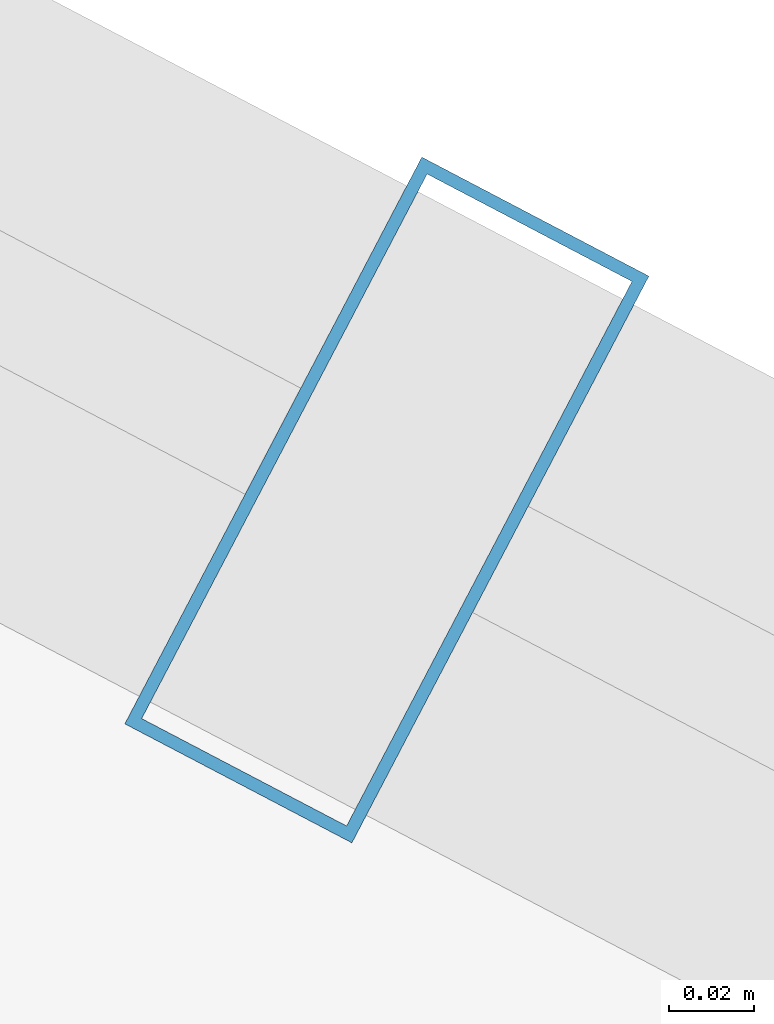
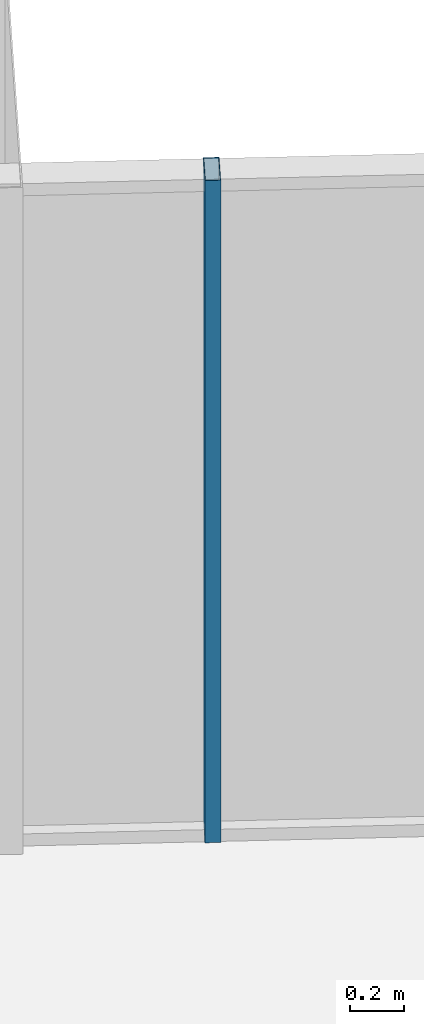
# One storey, part 27 of 33: 1 member, 1 element without a shape of its own.
"""IFC4 building model written with IfcOpenShell, lengths in metres."""

from ifc_helpers import new_model, si_unit, direction, frame, origin, origin_2d, place, context, subcontext, project, spatial, hollow_rectangle, extrude, source, transform, mapped, material, layer, layer_set, material_profile, profile_set, type_object, element, aggregate, save


model = new_model("IFC4")

# Units and contexts
model_context = context("Model", 3, precision=1e-05, world=origin(), true_north=direction((0.0, 1.0)))
body_context = subcontext(model_context, "Body", "Model", "MODEL_VIEW")
ifc_project = project(units=[si_unit("LENGTHUNIT", "METRE"), si_unit("AREAUNIT", "SQUARE_METRE"), si_unit("VOLUMEUNIT", "CUBIC_METRE"), si_unit("PLANEANGLEUNIT", "RADIAN"), si_unit("MASSUNIT", "GRAM", prefix="KILO")], contexts=[model_context])

# Site, building, storey
site_placement = place(None, origin())
site = spatial("IfcSite", under=ifc_project, at=site_placement, CompositionType="ELEMENT")
building_placement = place(site_placement, origin())
building = spatial("IfcBuilding", under=site, at=building_placement, Name="Veraguas Prism Commons", CompositionType="ELEMENT")
storey_placement = place(building_placement, frame((0.0, 0.0, 198.35009765625)))
storey = spatial("IfcBuildingStorey", under=building, at=storey_placement, Name="L56", CompositionType="ELEMENT", Elevation=198.35009765625)

# Curtain wall, member
ifc_material = material(Name="Anodised aluminium EN AW-6063 T6", Category="aluminium")
ifc_layer = layer(ifc_material, 0.14990234375, Name="Unitised Flush Curtain Wall Zone 3", Category="aluminium")
ifc_layer_set = layer_set([ifc_layer], Name="Anodised aluminium EN AW-6063 T6")
curtain_wall_type = type_object("IfcCurtainWallType", Name="Unitised Flush Curtain Wall Zone 3", PredefinedType="NOTDEFINED", material=ifc_layer_set)
curtain_wall_placement = place(storey_placement, origin())
curtain_wall = element("IfcCurtainWall", 1, at=curtain_wall_placement, inside=storey, type_object=curtain_wall_type, Name="Tower Facade Curtain Wall L56-F1", PredefinedType="NOTDEFINED")
ifc_material_profile = material_profile(ifc_material, hollow_rectangle(XDim=0.06005859375, YDim=0.14990234375, WallThickness=0.0029296875, at=origin_2d()), Name="AL60X150X3")
ifc_profile_set = profile_set([ifc_material_profile], Name="Anodised aluminium EN AW-6063 T6")
member_type = type_object("IfcMemberType", Name="Curtain Wall Mullion Upper AL 60x150x3", PredefinedType="MULLION", material=ifc_profile_set)
shared_shape = source(origin(), body_context, "Body", "SweptSolid", [
    extrude(hollow_rectangle(XDim=0.06005859375, YDim=0.14990234375, WallThickness=0.0029296875, at=origin_2d()), origin(), (0.0, 0.0, 1.0), 3.014892578125),
])
member_placement = place(storey_placement, frame((35.742919921875, 37.8408203125, 0.0), z_axis=(0.0, 0.0, 1.0), x_axis=(-0.885721982014, 0.464216081773, 0.0)))
member = element("IfcMember", 2, at=member_placement, type_object=member_type, Name="CW-Z3 Mullion 2", PredefinedType="MULLION", context=body_context, shape_type="MappedRepresentation", body=[
    mapped(shared_shape, transform((0.0, 0.0, 0.0), scale=1.0)),
])
aggregate(curtain_wall, [member])

save(model, "model.ifc")
